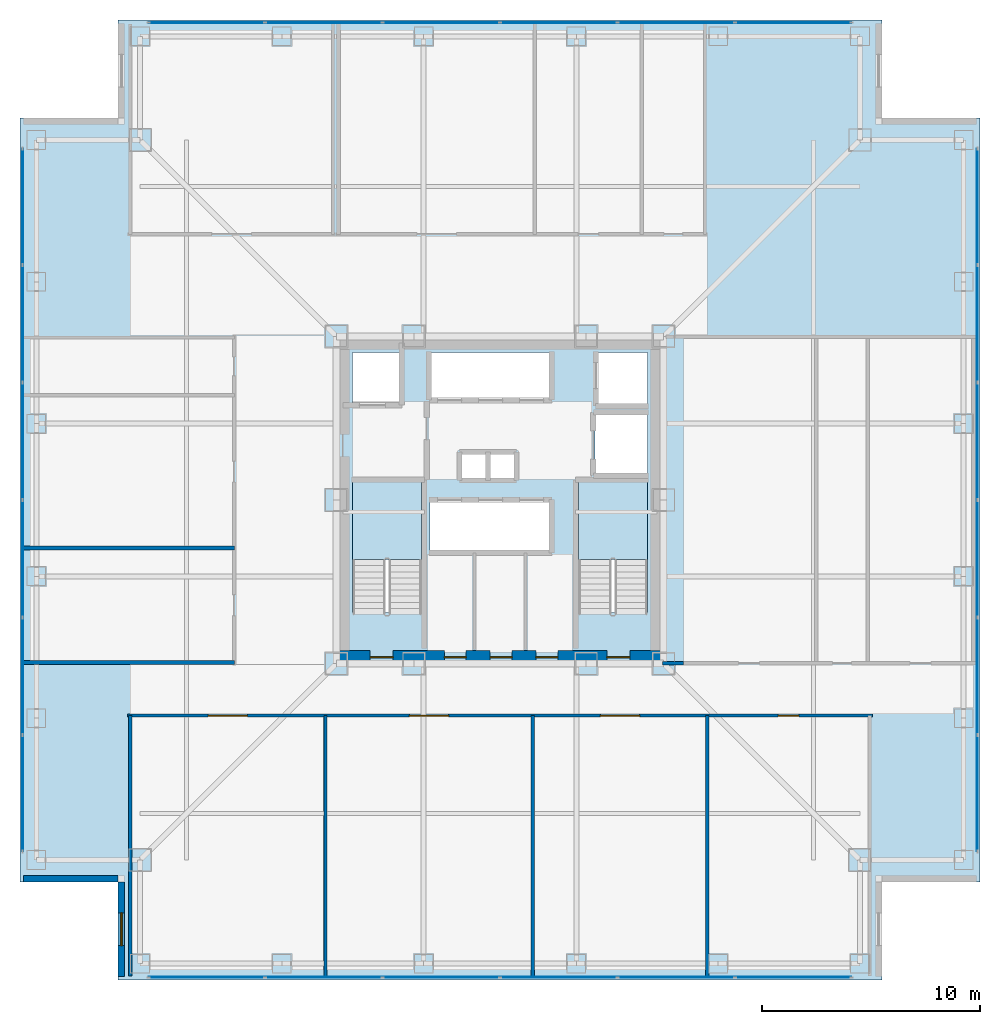
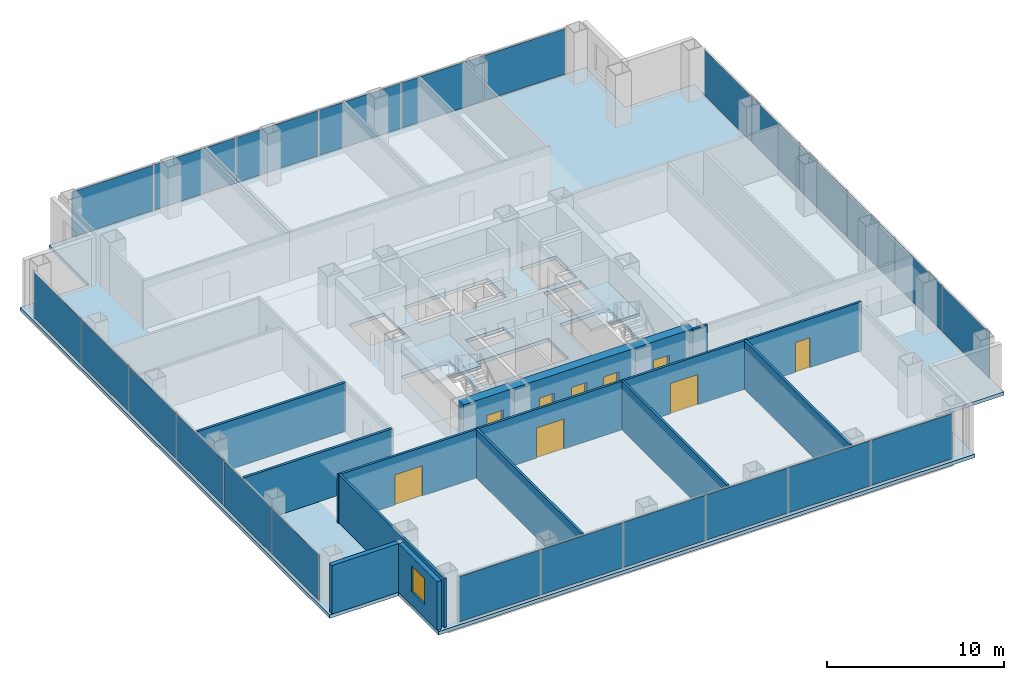
# One storey, part 12 of 17: 24 plates, 11 walls, 9 doors, 3 slabs, 1 window, 10 openings, 6 elements without a shape of their own.
"""IFC4 building model written with IfcOpenShell, lengths in metres."""

import ifcopenshell
import ifcopenshell.guid

model = None  # the IFC model being written
_history = None  # IfcOwnerHistory: only IFC2X3 demands one
_inside = {}  # id of a spatial element -> (the spatial element, [elements in it])
_under = {}  # id of a project, library or spatial element -> (it, [spatial elements below it])
_declared = {}  # id of a project -> (the project, [libraries it declares])
_typed = {}  # id of a type object -> (the type object, [elements of that type])
_made_of = {}  # id of a material, layer set ... -> (it, [elements and type objects made of it])


def new_model(schema):
    """Start an empty IFC model of exactly this schema.

    Asked for "IFC4X3", IfcOpenShell would pick the latest addendum, in which some entities
    have other attributes; the version numbers below select the first issue.
    IFC2X3 requires an IfcOwnerHistory on every rooted entity: one is made here for all.
    """
    global model, _history
    if schema == "IFC4X3":
        model = ifcopenshell.file(schema_version=(4, 3, 0, 0))
    else:
        model = ifcopenshell.file(schema=schema)
    _inside.clear()
    _under.clear()
    _declared.clear()
    _typed.clear()
    _made_of.clear()
    _history = None
    if model.schema == "IFC2X3":
        org = make("IfcOrganization", Name="unknown")
        user = make(
            "IfcPersonAndOrganization",
            ThePerson=make("IfcPerson", FamilyName="unknown"),
            TheOrganization=org,
        )
        app = make(
            "IfcApplication",
            ApplicationDeveloper=org,
            Version="unknown",
            ApplicationFullName="unknown",
            ApplicationIdentifier="unknown",
        )
        _history = make(
            "IfcOwnerHistory",
            OwningUser=user,
            OwningApplication=app,
            ChangeAction="ADDED",
            CreationDate=0,
        )
    return model


def make(cls, **values):
    """One entity of the class cls with the attributes given. An attribute that is None is left unset."""
    return model.create_entity(
        cls, **{name: value for name, value in values.items() if value is not None}
    )


def rooted(cls, **values):
    """An entity with a GlobalId (a new one), such as an element, a storey or a relation."""
    return make(cls, GlobalId=ifcopenshell.guid.new(), OwnerHistory=_history, **values)


def si_unit(unit_type, name, prefix=None):
    """IfcSIUnit, for example si_unit("LENGTHUNIT", "METRE", prefix="MILLI")."""
    return make("IfcSIUnit", UnitType=unit_type, Prefix=prefix, Name=name)


def assignment(units):
    """IfcUnitAssignment: the units of a project."""
    return None if units is None else make("IfcUnitAssignment", Units=units)


def point(xyz):
    """IfcCartesianPoint."""
    return None if xyz is None else make("IfcCartesianPoint", Coordinates=xyz)


def direction(xyz):
    """IfcDirection."""
    return None if xyz is None else make("IfcDirection", DirectionRatios=xyz)


def frame(location, z_axis=None, x_axis=None):
    """IfcAxis2Placement3D, a coordinate frame: its origin and axes. An axis left out is left unset."""
    return make(
        "IfcAxis2Placement3D",
        Location=point(location),
        Axis=direction(z_axis),
        RefDirection=direction(x_axis),
    )


def frame_2d(location, x_axis=None):
    """IfcAxis2Placement2D, a coordinate frame in the plane: its origin and x axis."""
    return make(
        "IfcAxis2Placement2D", Location=point(location), RefDirection=direction(x_axis)
    )


def origin():
    """The frame at (0, 0, 0) with its axes left unset."""
    return frame((0.0, 0.0, 0.0))


def origin_2d():
    """The frame at (0, 0) in the plane with its x axis left unset."""
    return frame_2d((0.0, 0.0))


def place(relative_to, where):
    """IfcLocalPlacement: puts the frame where relative to a parent placement (None: the world)."""
    return make(
        "IfcLocalPlacement", PlacementRelTo=relative_to, RelativePlacement=where
    )


def context(
    kind, dimensions, precision=None, world=None, true_north=None, identifier=None
):
    """IfcGeometricRepresentationContext, for example the 3D "Model" context."""
    return make(
        "IfcGeometricRepresentationContext",
        ContextIdentifier=identifier,
        ContextType=kind,
        CoordinateSpaceDimension=dimensions,
        Precision=precision,
        WorldCoordinateSystem=world,
        TrueNorth=true_north,
    )


def subcontext(parent, identifier, kind, view, scale=None):
    """IfcGeometricRepresentationSubContext, for example "Body" below "Model"."""
    return make(
        "IfcGeometricRepresentationSubContext",
        ContextIdentifier=identifier,
        ContextType=kind,
        ParentContext=parent,
        TargetScale=scale,
        TargetView=view,
    )


def project(units=None, contexts=None):
    """IfcProject with its units and contexts."""
    return rooted(
        "IfcProject",
        Name="project",
        RepresentationContexts=contexts,
        UnitsInContext=assignment(units),
    )


def spatial(cls, under=None, at=None, **own):
    """A site, building, storey or space (cls), placed at a placement, below another one or the project."""
    s = rooted(cls, ObjectPlacement=at, **own)
    if under is not None:
        _under.setdefault(under.id(), (under, []))[1].append(s)
    return s


def polyline(points):
    """IfcPolyline through the points."""
    return make("IfcPolyline", Points=[point(p) for p in points])


def profile(cls, at=None, kind="AREA", **sizes):
    """A parametric profile (cls). Its sizes go by their IFC names, for example OverallWidth=200.0."""
    return make(cls, ProfileType=kind, Position=at, **sizes)


def rectangle(**sizes):
    """IfcRectangleProfileDef."""
    return profile("IfcRectangleProfileDef", **sizes)


def outline(outer, holes=None, kind="AREA"):
    """IfcArbitraryClosedProfileDef: a profile drawn as a closed curve; with holes, ...WithVoids."""
    if holes is None:
        return make("IfcArbitraryClosedProfileDef", ProfileType=kind, OuterCurve=outer)
    return make(
        "IfcArbitraryProfileDefWithVoids",
        ProfileType=kind,
        OuterCurve=outer,
        InnerCurves=holes,
    )


def extrude(swept, where, along, depth):
    """IfcExtrudedAreaSolid: the profile swept, set in the frame where, extruded along a direction by depth."""
    return make(
        "IfcExtrudedAreaSolid",
        SweptArea=swept,
        Position=where,
        ExtrudedDirection=direction(along),
        Depth=depth,
    )


def shape(context_of_items, identifier, shape_type, items):
    """IfcShapeRepresentation: the items that make up one representation, for example the "Body"."""
    return make(
        "IfcShapeRepresentation",
        ContextOfItems=context_of_items,
        RepresentationIdentifier=identifier,
        RepresentationType=shape_type,
        Items=items,
    )


def material(Name=None, Category=None):
    """IfcMaterial."""
    return make("IfcMaterial", Name=Name, Category=Category)


def layer(
    of_material, thickness, ventilated=None, Name=None, Category=None, Priority=None
):
    """IfcMaterialLayer: one layer of a wall or slab, of a material (None: an air gap)."""
    return make(
        "IfcMaterialLayer",
        Material=of_material,
        LayerThickness=thickness,
        IsVentilated=ventilated,
        Name=Name,
        Category=Category,
        Priority=Priority,
    )


def layer_set(layers, Name=None):
    """IfcMaterialLayerSet."""
    return make("IfcMaterialLayerSet", MaterialLayers=layers, LayerSetName=Name)


def made_of(thing, what):
    """Note that an element or type object is made of a material, layer set ...; save() writes the relation."""
    if what is not None:
        _made_of.setdefault(what.id(), (what, []))[1].append(thing)
    return thing


def type_object(cls, material=None, **own):
    """A type object (cls), such as IfcWallType, which elements share."""
    return made_of(rooted(cls, **own), material)


def element(
    cls,
    number,
    at=None,
    inside=None,
    cuts=None,
    type_object=None,
    material=None,
    context=None,
    identifier="Body",
    shape_type=None,
    held_by="IfcProductDefinitionShape",
    body=None,
    shapes=None,
    **own,
):
    """One element of the class cls, such as IfcWall. Its Tag is "e" and its number.

    at: its placement. inside: the storey or other place that contains it. cuts: it is an
    opening in that element (IfcRelVoidsElement). A single representation is given by context,
    identifier, shape_type and body (its items); several are given by shapes. held_by: the class
    of the entity that holds the representations. save() writes the other relations.
    """
    e = rooted(cls, Tag="e%d" % number, ObjectPlacement=at, **own)
    if body is not None:
        shapes = [shape(context, identifier, shape_type, body)]
    if shapes is not None:
        e.Representation = make(held_by, Representations=shapes)
    if inside is not None:
        _inside.setdefault(inside.id(), (inside, []))[1].append(e)
    if cuts is not None:
        rooted(
            "IfcRelVoidsElement", RelatingBuildingElement=cuts, RelatedOpeningElement=e
        )
    if type_object is not None:
        _typed.setdefault(type_object.id(), (type_object, []))[1].append(e)
    return made_of(e, material)


def fill(opening, filler):
    """IfcRelFillsElement: the door or window that sits in an opening."""
    return rooted(
        "IfcRelFillsElement",
        RelatingOpeningElement=opening,
        RelatedBuildingElement=filler,
    )


def aggregate(whole, parts):
    """IfcRelAggregates: a whole, such as a stair, and the parts it consists of."""
    return rooted("IfcRelAggregates", RelatingObject=whole, RelatedObjects=parts)


def save(model, path):
    """Write the relations noted so far, then the file.

    IfcRelAggregates (storeys below a building ...), IfcRelContainedInSpatialStructure (elements
    in a storey), IfcRelDefinesByType, IfcRelAssociatesMaterial and IfcRelDeclares: one each for
    every whole, place, type object, material and project.
    """
    for whole, parts in _under.values():
        aggregate(whole, parts)
    for where, things in _inside.values():
        rooted(
            "IfcRelContainedInSpatialStructure",
            RelatedElements=things,
            RelatingStructure=where,
        )
    for kind, things in _typed.values():
        rooted("IfcRelDefinesByType", RelatedObjects=things, RelatingType=kind)
    for what, things in _made_of.values():
        rooted("IfcRelAssociatesMaterial", RelatedObjects=things, RelatingMaterial=what)
    for by, libraries in _declared.values():
        rooted("IfcRelDeclares", RelatingContext=by, RelatedDefinitions=libraries)
    model.write(path)


model = new_model("IFC4")

# Units and contexts
model_context = context("Model", 3, precision=1e-05, world=origin(), true_north=direction((0.0, 1.0)))
body_context = subcontext(model_context, "Body", "Model", "MODEL_VIEW")
ifc_project = project(units=[si_unit("LENGTHUNIT", "METRE"), si_unit("AREAUNIT", "SQUARE_METRE"), si_unit("VOLUMEUNIT", "CUBIC_METRE"), si_unit("PLANEANGLEUNIT", "RADIAN"), si_unit("MASSUNIT", "GRAM", prefix="KILO")], contexts=[model_context])

# Site, building, storey
site_placement = place(None, origin())
site = spatial("IfcSite", under=ifc_project, at=site_placement, CompositionType="ELEMENT")
building_placement = place(site_placement, origin())
building = spatial("IfcBuilding", under=site, at=building_placement, Name="Trevonay Congress Spire", CompositionType="ELEMENT")
storey_placement = place(building_placement, frame((0.0, 0.0, 130.0)))
storey = spatial("IfcBuildingStorey", under=building, at=storey_placement, Name="L33", CompositionType="ELEMENT", Elevation=130.0)

# Curtain wall, plates
ifc_material_1 = material(Name="Pale Anodised Aluminium EN AW-6063-T6", Category="aluminium")
ifc_layer_1 = layer(ifc_material_1, 0.175048828125, Name="Pale Anodised Aluminium EN AW-6063-T6")
ifc_layer_set_1 = layer_set([ifc_layer_1], Name="Pale Anodised Aluminium EN AW-6063-T6")
curtain_wall_type = type_object("IfcCurtainWallType", Name="CW-SYS03-CONGRESS-PALE-METAL", PredefinedType="NOTDEFINED", material=ifc_layer_set_1)
curtain_wall_1_placement = place(storey_placement, origin())
curtain_wall_1 = element("IfcCurtainWall", 1, at=curtain_wall_1_placement, inside=storey, type_object=curtain_wall_type, Name="L33 S unitised curtain wall", PredefinedType="NOTDEFINED")
ifc_material_2 = material(Name="Insulated Low-E Vision Glass IGU", Category="glass")
ifc_layer_2 = layer(ifc_material_2, 0.035888671875, Name="Insulated Low-E Vision Glass IGU")
ifc_layer_set_2 = layer_set([ifc_layer_2], Name="Insulated Low-E Vision Glass IGU")
plate_type = type_object("IfcPlateType", Name="CW-PANEL-IGU36-SILVER", PredefinedType="CURTAIN_PANEL", material=ifc_layer_set_2)
plate_1_placement = place(storey_placement, frame((-13.443359375, -21.8798828125, 0.119873046875), z_axis=(0.0, 0.0, 1.0), x_axis=(1.0, 0.0, 0.0)))
plate_1 = element("IfcPlate", 2, at=plate_1_placement, type_object=plate_type, Name="CW03 panel 1.1", PredefinedType="CURTAIN_PANEL", context=body_context, shape_type="SweptSolid", body=[
    extrude(rectangle(XDim=5.293212890625, YDim=0.035888671875, at=origin_2d()), origin(), (0.0, 0.0, 1.0), 3.1201171875),
])
plate_2_placement = place(storey_placement, frame((-8.074951171875, -21.8798828125, 0.119873046875), z_axis=(0.0, 0.0, 1.0), x_axis=(1.0, 0.0, 0.0)))
plate_2 = element("IfcPlate", 3, at=plate_2_placement, type_object=plate_type, Name="CW03 panel 2.1", PredefinedType="CURTAIN_PANEL", context=body_context, shape_type="SweptSolid", body=[
    extrude(rectangle(XDim=5.3232421875, YDim=0.035888671875, at=origin_2d()), origin(), (0.0, 0.0, 1.0), 3.1201171875),
])
plate_3_placement = place(storey_placement, frame((-2.691650390625, -21.8798828125, 0.119873046875), z_axis=(0.0, 0.0, 1.0), x_axis=(1.0, 0.0, 0.0)))
plate_3 = element("IfcPlate", 4, at=plate_3_placement, type_object=plate_type, Name="CW03 panel 3.1", PredefinedType="CURTAIN_PANEL", context=body_context, shape_type="SweptSolid", body=[
    extrude(rectangle(XDim=5.3232421875, YDim=0.035888671875, at=origin_2d()), origin(), (0.0, 0.0, 1.0), 3.1201171875),
])
plate_4_placement = place(storey_placement, frame((2.691650390625, -21.8798828125, 0.119873046875), z_axis=(0.0, 0.0, 1.0), x_axis=(1.0, 0.0, 0.0)))
plate_4 = element("IfcPlate", 5, at=plate_4_placement, type_object=plate_type, Name="CW03 panel 4.1", PredefinedType="CURTAIN_PANEL", context=body_context, shape_type="SweptSolid", body=[
    extrude(rectangle(XDim=5.3232421875, YDim=0.035888671875, at=origin_2d()), origin(), (0.0, 0.0, 1.0), 3.1201171875),
])
plate_5_placement = place(storey_placement, frame((8.074951171875, -21.8798828125, 0.119873046875), z_axis=(0.0, 0.0, 1.0), x_axis=(1.0, 0.0, 0.0)))
plate_5 = element("IfcPlate", 6, at=plate_5_placement, type_object=plate_type, Name="CW03 panel 5.1", PredefinedType="CURTAIN_PANEL", context=body_context, shape_type="SweptSolid", body=[
    extrude(rectangle(XDim=5.3232421875, YDim=0.035888671875, at=origin_2d()), origin(), (0.0, 0.0, 1.0), 3.1201171875),
])
plate_6_placement = place(storey_placement, frame((13.443359375, -21.8798828125, 0.119873046875), z_axis=(0.0, 0.0, 1.0), x_axis=(1.0, 0.0, 0.0)))
plate_6 = element("IfcPlate", 7, at=plate_6_placement, type_object=plate_type, Name="CW03 panel 6.1", PredefinedType="CURTAIN_PANEL", context=body_context, shape_type="SweptSolid", body=[
    extrude(rectangle(XDim=5.293212890625, YDim=0.035888671875, at=origin_2d()), origin(), (0.0, 0.0, 1.0), 3.1201171875),
])
aggregate(curtain_wall_1, [plate_1, plate_2, plate_3, plate_4, plate_5, plate_6])

curtain_wall_2_placement = place(storey_placement, origin())
curtain_wall_2 = element("IfcCurtainWall", 8, at=curtain_wall_2_placement, inside=storey, type_object=curtain_wall_type, Name="L33 N unitised curtain wall", PredefinedType="NOTDEFINED")
plate_7_placement = place(storey_placement, frame((-13.443359375, 21.8798828125, 0.119873046875), z_axis=(0.0, 0.0, 1.0), x_axis=(1.0, 0.0, 0.0)))
plate_7 = element("IfcPlate", 9, at=plate_7_placement, type_object=plate_type, Name="CW03 panel 1.1", PredefinedType="CURTAIN_PANEL", context=body_context, shape_type="SweptSolid", body=[
    extrude(rectangle(XDim=5.293212890625, YDim=0.035888671875, at=origin_2d()), origin(), (0.0, 0.0, 1.0), 3.1201171875),
])
plate_8_placement = place(storey_placement, frame((-8.074951171875, 21.8798828125, 0.119873046875), z_axis=(0.0, 0.0, 1.0), x_axis=(1.0, 0.0, 0.0)))
plate_8 = element("IfcPlate", 10, at=plate_8_placement, type_object=plate_type, Name="CW03 panel 2.1", PredefinedType="CURTAIN_PANEL", context=body_context, shape_type="SweptSolid", body=[
    extrude(rectangle(XDim=5.3232421875, YDim=0.035888671875, at=origin_2d()), origin(), (0.0, 0.0, 1.0), 3.1201171875),
])
plate_9_placement = place(storey_placement, frame((-2.691650390625, 21.8798828125, 0.119873046875), z_axis=(0.0, 0.0, 1.0), x_axis=(1.0, 0.0, 0.0)))
plate_9 = element("IfcPlate", 11, at=plate_9_placement, type_object=plate_type, Name="CW03 panel 3.1", PredefinedType="CURTAIN_PANEL", context=body_context, shape_type="SweptSolid", body=[
    extrude(rectangle(XDim=5.3232421875, YDim=0.035888671875, at=origin_2d()), origin(), (0.0, 0.0, 1.0), 3.1201171875),
])
plate_10_placement = place(storey_placement, frame((2.691650390625, 21.8798828125, 0.119873046875), z_axis=(0.0, 0.0, 1.0), x_axis=(1.0, 0.0, 0.0)))
plate_10 = element("IfcPlate", 12, at=plate_10_placement, type_object=plate_type, Name="CW03 panel 4.1", PredefinedType="CURTAIN_PANEL", context=body_context, shape_type="SweptSolid", body=[
    extrude(rectangle(XDim=5.3232421875, YDim=0.035888671875, at=origin_2d()), origin(), (0.0, 0.0, 1.0), 3.1201171875),
])
plate_11_placement = place(storey_placement, frame((8.074951171875, 21.8798828125, 0.119873046875), z_axis=(0.0, 0.0, 1.0), x_axis=(1.0, 0.0, 0.0)))
plate_11 = element("IfcPlate", 13, at=plate_11_placement, type_object=plate_type, Name="CW03 panel 5.1", PredefinedType="CURTAIN_PANEL", context=body_context, shape_type="SweptSolid", body=[
    extrude(rectangle(XDim=5.3232421875, YDim=0.035888671875, at=origin_2d()), origin(), (0.0, 0.0, 1.0), 3.1201171875),
])
plate_12_placement = place(storey_placement, frame((13.443359375, 21.8798828125, 0.119873046875), z_axis=(0.0, 0.0, 1.0), x_axis=(1.0, 0.0, 0.0)))
plate_12 = element("IfcPlate", 14, at=plate_12_placement, type_object=plate_type, Name="CW03 panel 6.1", PredefinedType="CURTAIN_PANEL", context=body_context, shape_type="SweptSolid", body=[
    extrude(rectangle(XDim=5.293212890625, YDim=0.035888671875, at=origin_2d()), origin(), (0.0, 0.0, 1.0), 3.1201171875),
])
aggregate(curtain_wall_2, [plate_7, plate_8, plate_9, plate_10, plate_11, plate_12])

curtain_wall_3_placement = place(storey_placement, origin())
curtain_wall_3 = element("IfcCurtainWall", 15, at=curtain_wall_3_placement, inside=storey, type_object=curtain_wall_type, Name="L33 W unitised curtain wall", PredefinedType="NOTDEFINED")
plate_13_placement = place(storey_placement, frame((-21.8798828125, -13.443359375, 0.119873046875), z_axis=(0.0, 0.0, 1.0), x_axis=(0.0, 1.0, 0.0)))
plate_13 = element("IfcPlate", 16, at=plate_13_placement, type_object=plate_type, Name="CW03 panel 1.1", PredefinedType="CURTAIN_PANEL", context=body_context, shape_type="SweptSolid", body=[
    extrude(rectangle(XDim=5.293212890625, YDim=0.035888671875, at=origin_2d()), origin(), (0.0, 0.0, 1.0), 3.1201171875),
])
plate_14_placement = place(storey_placement, frame((-21.8798828125, -8.074951171875, 0.119873046875), z_axis=(0.0, 0.0, 1.0), x_axis=(0.0, 1.0, 0.0)))
plate_14 = element("IfcPlate", 17, at=plate_14_placement, type_object=plate_type, Name="CW03 panel 2.1", PredefinedType="CURTAIN_PANEL", context=body_context, shape_type="SweptSolid", body=[
    extrude(rectangle(XDim=5.3232421875, YDim=0.035888671875, at=origin_2d()), origin(), (0.0, 0.0, 1.0), 3.1201171875),
])
plate_15_placement = place(storey_placement, frame((-21.8798828125, -2.691650390625, 0.119873046875), z_axis=(0.0, 0.0, 1.0), x_axis=(0.0, 1.0, 0.0)))
plate_15 = element("IfcPlate", 18, at=plate_15_placement, type_object=plate_type, Name="CW03 panel 3.1", PredefinedType="CURTAIN_PANEL", context=body_context, shape_type="SweptSolid", body=[
    extrude(rectangle(XDim=5.3232421875, YDim=0.035888671875, at=origin_2d()), origin(), (0.0, 0.0, 1.0), 3.1201171875),
])
plate_16_placement = place(storey_placement, frame((-21.8798828125, 2.691650390625, 0.119873046875), z_axis=(0.0, 0.0, 1.0), x_axis=(0.0, 1.0, 0.0)))
plate_16 = element("IfcPlate", 19, at=plate_16_placement, type_object=plate_type, Name="CW03 panel 4.1", PredefinedType="CURTAIN_PANEL", context=body_context, shape_type="SweptSolid", body=[
    extrude(rectangle(XDim=5.3232421875, YDim=0.035888671875, at=origin_2d()), origin(), (0.0, 0.0, 1.0), 3.1201171875),
])
plate_17_placement = place(storey_placement, frame((-21.8798828125, 8.074951171875, 0.119873046875), z_axis=(0.0, 0.0, 1.0), x_axis=(0.0, 1.0, 0.0)))
plate_17 = element("IfcPlate", 20, at=plate_17_placement, type_object=plate_type, Name="CW03 panel 5.1", PredefinedType="CURTAIN_PANEL", context=body_context, shape_type="SweptSolid", body=[
    extrude(rectangle(XDim=5.3232421875, YDim=0.035888671875, at=origin_2d()), origin(), (0.0, 0.0, 1.0), 3.1201171875),
])
plate_18_placement = place(storey_placement, frame((-21.8798828125, 13.443359375, 0.119873046875), z_axis=(0.0, 0.0, 1.0), x_axis=(0.0, 1.0, 0.0)))
plate_18 = element("IfcPlate", 21, at=plate_18_placement, type_object=plate_type, Name="CW03 panel 6.1", PredefinedType="CURTAIN_PANEL", context=body_context, shape_type="SweptSolid", body=[
    extrude(rectangle(XDim=5.293212890625, YDim=0.035888671875, at=origin_2d()), origin(), (0.0, 0.0, 1.0), 3.1201171875),
])
aggregate(curtain_wall_3, [plate_13, plate_14, plate_15, plate_16, plate_17, plate_18])

curtain_wall_4_placement = place(storey_placement, origin())
curtain_wall_4 = element("IfcCurtainWall", 22, at=curtain_wall_4_placement, inside=storey, type_object=curtain_wall_type, Name="L33 E unitised curtain wall", PredefinedType="NOTDEFINED")
plate_19_placement = place(storey_placement, frame((21.8798828125, -13.443359375, 0.119873046875), z_axis=(0.0, 0.0, 1.0), x_axis=(0.0, 1.0, 0.0)))
plate_19 = element("IfcPlate", 23, at=plate_19_placement, type_object=plate_type, Name="CW03 panel 1.1", PredefinedType="CURTAIN_PANEL", context=body_context, shape_type="SweptSolid", body=[
    extrude(rectangle(XDim=5.293212890625, YDim=0.035888671875, at=origin_2d()), origin(), (0.0, 0.0, 1.0), 3.1201171875),
])
plate_20_placement = place(storey_placement, frame((21.8798828125, -8.074951171875, 0.119873046875), z_axis=(0.0, 0.0, 1.0), x_axis=(0.0, 1.0, 0.0)))
plate_20 = element("IfcPlate", 24, at=plate_20_placement, type_object=plate_type, Name="CW03 panel 2.1", PredefinedType="CURTAIN_PANEL", context=body_context, shape_type="SweptSolid", body=[
    extrude(rectangle(XDim=5.3232421875, YDim=0.035888671875, at=origin_2d()), origin(), (0.0, 0.0, 1.0), 3.1201171875),
])
plate_21_placement = place(storey_placement, frame((21.8798828125, -2.691650390625, 0.119873046875), z_axis=(0.0, 0.0, 1.0), x_axis=(0.0, 1.0, 0.0)))
plate_21 = element("IfcPlate", 25, at=plate_21_placement, type_object=plate_type, Name="CW03 panel 3.1", PredefinedType="CURTAIN_PANEL", context=body_context, shape_type="SweptSolid", body=[
    extrude(rectangle(XDim=5.3232421875, YDim=0.035888671875, at=origin_2d()), origin(), (0.0, 0.0, 1.0), 3.1201171875),
])
plate_22_placement = place(storey_placement, frame((21.8798828125, 2.691650390625, 0.119873046875), z_axis=(0.0, 0.0, 1.0), x_axis=(0.0, 1.0, 0.0)))
plate_22 = element("IfcPlate", 26, at=plate_22_placement, type_object=plate_type, Name="CW03 panel 4.1", PredefinedType="CURTAIN_PANEL", context=body_context, shape_type="SweptSolid", body=[
    extrude(rectangle(XDim=5.3232421875, YDim=0.035888671875, at=origin_2d()), origin(), (0.0, 0.0, 1.0), 3.1201171875),
])
plate_23_placement = place(storey_placement, frame((21.8798828125, 8.074951171875, 0.119873046875), z_axis=(0.0, 0.0, 1.0), x_axis=(0.0, 1.0, 0.0)))
plate_23 = element("IfcPlate", 27, at=plate_23_placement, type_object=plate_type, Name="CW03 panel 5.1", PredefinedType="CURTAIN_PANEL", context=body_context, shape_type="SweptSolid", body=[
    extrude(rectangle(XDim=5.3232421875, YDim=0.035888671875, at=origin_2d()), origin(), (0.0, 0.0, 1.0), 3.1201171875),
])
plate_24_placement = place(storey_placement, frame((21.8798828125, 13.443359375, 0.119873046875), z_axis=(0.0, 0.0, 1.0), x_axis=(0.0, 1.0, 0.0)))
plate_24 = element("IfcPlate", 28, at=plate_24_placement, type_object=plate_type, Name="CW03 panel 6.1", PredefinedType="CURTAIN_PANEL", context=body_context, shape_type="SweptSolid", body=[
    extrude(rectangle(XDim=5.293212890625, YDim=0.035888671875, at=origin_2d()), origin(), (0.0, 0.0, 1.0), 3.1201171875),
])
aggregate(curtain_wall_4, [plate_19, plate_20, plate_21, plate_22, plate_23, plate_24])

# Stair, slab
ifc_material_3 = material(Name="Concrete C40/50", Category="concrete")
stair_type_1 = type_object("IfcStairType", Name="STR-ST-1", PredefinedType="HALF_TURN_STAIR", material=ifc_material_3)
stair_1_placement = place(storey_placement, origin())
stair_1 = element("IfcStair", 29, at=stair_1_placement, inside=storey, type_object=stair_type_1, Name="L33 Protected Exit Stair ST-1", PredefinedType="HALF_TURN_STAIR")
ifc_layer_3 = layer(ifc_material_3, 0.199951171875, Name="Concrete C40/50")
ifc_layer_set_3 = layer_set([ifc_layer_3], Name="Concrete C40/50")
slab_type_1 = type_object("IfcSlabType", Name="SLB-STAIR-LAND-200", PredefinedType="LANDING", material=ifc_layer_set_3)
slab_1_placement = place(storey_placement, frame((0.0, 0.0, 1.60009765625)))
slab_1 = element("IfcSlab", 30, at=slab_1_placement, type_object=slab_type_1, Name="ST-1 landing 1", PredefinedType="LANDING", context=body_context, shape_type="SweptSolid", body=[
    extrude(outline(polyline([(-3.60009765625, -2.72998046875), (-3.60009765625, 0.85009765625), (-6.75, 0.85009765625), (-6.75, -2.72998046875), (-3.60009765625, -2.72998046875)])), origin(), (0.0, 0.0, 1.0), 0.199951171875),
])
aggregate(stair_1, [slab_1])

stair_type_2 = type_object("IfcStairType", Name="STR-ST-2", PredefinedType="HALF_TURN_STAIR", material=ifc_material_3)
stair_2_placement = place(storey_placement, origin())
stair_2 = element("IfcStair", 31, at=stair_2_placement, inside=storey, type_object=stair_type_2, Name="L33 Protected Exit Stair ST-2", PredefinedType="HALF_TURN_STAIR")
slab_2_placement = place(storey_placement, frame((0.0, 0.0, 1.60009765625)))
slab_2 = element("IfcSlab", 32, at=slab_2_placement, type_object=slab_type_1, Name="ST-2 landing 1", PredefinedType="LANDING", context=body_context, shape_type="SweptSolid", body=[
    extrude(outline(polyline([(6.75, -2.72998046875), (6.75, 0.85009765625), (3.60009765625, 0.85009765625), (3.60009765625, -2.72998046875), (6.75, -2.72998046875)])), origin(), (0.0, 0.0, 1.0), 0.199951171875),
])
aggregate(stair_2, [slab_2])

# Slab
ifc_layer_4 = layer(ifc_material_3, 0.239990234375, Name="Concrete C40/50")
ifc_layer_set_4 = layer_set([ifc_layer_4], Name="Concrete C40/50")
slab_type_2 = type_object("IfcSlabType", Name="SLB-TOW2-240", PredefinedType="FLOOR", material=ifc_layer_set_4)
slab_3_placement = place(storey_placement, frame((0.0, 0.0, -0.239990234375)))
element("IfcSlab", 33, at=slab_3_placement, inside=storey, type_object=slab_type_2, Name="L33 structural floor slab", PredefinedType="FLOOR", context=body_context, shape_type="SweptSolid", body=[
    extrude(outline(polyline([(-17.5, -22.0), (17.5, -22.0), (17.5, -17.5), (22.0, -17.5), (22.0, 17.5), (17.5, 17.5), (17.5, 22.0), (-17.5, 22.0), (-17.5, 17.5), (-22.0, 17.5), (-22.0, -17.5), (-17.5, -17.5), (-17.5, -22.0)]), holes=[polyline([(-3.60009765625, -5.14990234375), (-3.60009765625, 0.85009765625), (-6.75, 0.85009765625), (-6.75, -5.14990234375), (-3.60009765625, -5.14990234375)]), polyline([(6.75, -5.14990234375), (6.75, 0.85009765625), (3.60009765625, 0.85009765625), (3.60009765625, -5.14990234375), (6.75, -5.14990234375)]), polyline([(-3.199951171875, -2.35009765625), (2.340087890625, -2.35009765625), (2.340087890625, -0.050048828125), (-3.199951171875, -0.050048828125), (-3.199951171875, -2.35009765625)]), polyline([(-3.199951171875, 4.64990234375), (2.340087890625, 4.64990234375), (2.340087890625, 6.75), (-3.199951171875, 6.75), (-3.199951171875, 4.64990234375)]), polyline([(-6.75, 4.35009765625), (-4.449951171875, 4.35009765625), (-4.449951171875, 6.75), (-6.75, 6.75), (-6.75, 4.35009765625)]), polyline([(4.449951171875, 4.35009765625), (6.75, 4.35009765625), (6.75, 6.75), (4.449951171875, 6.75), (4.449951171875, 4.35009765625)]), polyline([(4.35009765625, 1.199951171875), (6.75, 1.199951171875), (6.75, 3.949951171875), (4.35009765625, 3.949951171875), (4.35009765625, 1.199951171875)]), polyline([(-1.800048828125, 0.949951171875), (0.699951171875, 0.949951171875), (0.699951171875, 2.14990234375), (-1.800048828125, 2.14990234375), (-1.800048828125, 0.949951171875)])]), origin(), (0.0, 0.0, 1.0), 0.239990234375),
])

# Wall, openings, doors
ifc_material_4 = material(Name="Concrete C60/75", Category="concrete")
ifc_layer_5 = layer(ifc_material_4, 0.60009765625, Name="Concrete C60/75")
ifc_layer_set_5 = layer_set([ifc_layer_5], Name="Concrete C60/75")
wall_type_1 = type_object("IfcWallType", Name="WAL-CORE-600", PredefinedType="SHEAR", material=ifc_layer_set_5)
wall_1_placement = place(storey_placement, frame((-7.5, -7.199951171875, 0.0), z_axis=(0.0, 0.0, 1.0), x_axis=(1.0, 0.0, 0.0)))
wall_1 = element("IfcWall", 34, at=wall_1_placement, inside=storey, type_object=wall_type_1, Name="L33 South structural core shear wall", PredefinedType="SHEAR", context=body_context, shape_type="SweptSolid", body=[
    extrude(rectangle(XDim=15.0, YDim=0.60009765625, at=frame_2d((7.5, 0.0))), origin(), (0.0, 0.0, 1.0), 3.360107421875),
])
opening_1_placement = place(wall_1_placement, frame((1.550048828125, 0.0, 0.0)))
opening_1 = element("IfcOpeningElement", 35, at=opening_1_placement, cuts=wall_1, Name="Opening D05", PredefinedType="OPENING", context=body_context, shape_type="SweptSolid", body=[
    extrude(rectangle(XDim=1.050048828125, YDim=2.080078125, at=frame_2d((0.52490234375, 1.0400390625))), frame((0.0, 0.31005859375, 0.0), z_axis=(0.0, -1.0, 0.0), x_axis=(1.0, 0.0, 0.0)), (0.0, 0.0, 1.0), 0.6201171875),
])
opening_2_placement = place(wall_1_placement, frame((12.39990234375, 0.0, 0.0)))
opening_2 = element("IfcOpeningElement", 36, at=opening_2_placement, cuts=wall_1, Name="Opening D05", PredefinedType="OPENING", context=body_context, shape_type="SweptSolid", body=[
    extrude(rectangle(XDim=1.050048828125, YDim=2.080078125, at=frame_2d((0.52490234375, 1.0400390625))), frame((0.0, 0.31005859375, 0.0), z_axis=(0.0, -1.0, 0.0), x_axis=(1.0, 0.0, 0.0)), (0.0, 0.0, 1.0), 0.6201171875),
])
opening_3_placement = place(wall_1_placement, frame((4.949951171875, 0.0, 0.0)))
opening_3 = element("IfcOpeningElement", 37, at=opening_3_placement, cuts=wall_1, Name="Opening D06", PredefinedType="OPENING", context=body_context, shape_type="SweptSolid", body=[
    extrude(rectangle(XDim=1.0, YDim=2.080078125, at=frame_2d((0.5, 1.0400390625))), frame((0.0, 0.31005859375, 0.0), z_axis=(0.0, -1.0, 0.0), x_axis=(1.0, 0.0, 0.0)), (0.0, 0.0, 1.0), 0.6201171875),
])
opening_4_placement = place(wall_1_placement, frame((7.050048828125, 0.0, 0.0)))
opening_4 = element("IfcOpeningElement", 38, at=opening_4_placement, cuts=wall_1, Name="Opening D06", PredefinedType="OPENING", context=body_context, shape_type="SweptSolid", body=[
    extrude(rectangle(XDim=1.0, YDim=2.080078125, at=frame_2d((0.5, 1.0400390625))), frame((0.0, 0.31005859375, 0.0), z_axis=(0.0, -1.0, 0.0), x_axis=(1.0, 0.0, 0.0)), (0.0, 0.0, 1.0), 0.6201171875),
])
opening_5_placement = place(wall_1_placement, frame((9.14990234375, 0.0, 0.0)))
opening_5 = element("IfcOpeningElement", 39, at=opening_5_placement, cuts=wall_1, Name="Opening D06", PredefinedType="OPENING", context=body_context, shape_type="SweptSolid", body=[
    extrude(rectangle(XDim=1.0, YDim=2.080078125, at=frame_2d((0.5, 1.0400390625))), frame((0.0, 0.31005859375, 0.0), z_axis=(0.0, -1.0, 0.0), x_axis=(1.0, 0.0, 0.0)), (0.0, 0.0, 1.0), 0.6201171875),
])
ifc_material_5 = material(Name="Steel ASTM A572 Grade 50", Category="steel")
door_type_1 = type_object("IfcDoorType", Name="DOR-FIRE-100", OperationType="NOTDEFINED", PredefinedType="DOOR", material=ifc_material_5)
door_1_placement = place(opening_3_placement, origin())
door_1 = element("IfcDoor", 40, at=door_1_placement, inside=storey, type_object=door_type_1, Name="L33 South Core Room 1 Door", OperationType="SINGLE_SWING_RIGHT", OverallHeight=2.080078125, OverallWidth=1.0, PredefinedType="DOOR", context=body_context, shape_type="SweptSolid", body=[
    extrude(rectangle(XDim=1.0, YDim=2.080078125, at=frame_2d((0.5, 1.0400390625))), frame((0.0, 0.02490234375, 0.0), z_axis=(0.0, -1.0, 0.0), x_axis=(1.0, 0.0, 0.0)), (0.0, 0.0, 1.0), 0.050048828125),
])
fill(opening_3, door_1)
door_2_placement = place(opening_4_placement, origin())
door_2 = element("IfcDoor", 41, at=door_2_placement, inside=storey, type_object=door_type_1, Name="L33 South Core Room 2 Door", OperationType="SINGLE_SWING_LEFT", OverallHeight=2.080078125, OverallWidth=1.0, PredefinedType="DOOR", context=body_context, shape_type="SweptSolid", body=[
    extrude(rectangle(XDim=1.0, YDim=2.080078125, at=frame_2d((0.5, 1.0400390625))), frame((0.0, 0.02490234375, 0.0), z_axis=(0.0, -1.0, 0.0), x_axis=(1.0, 0.0, 0.0)), (0.0, 0.0, 1.0), 0.050048828125),
])
fill(opening_4, door_2)
door_3_placement = place(opening_5_placement, origin())
door_3 = element("IfcDoor", 42, at=door_3_placement, inside=storey, type_object=door_type_1, Name="L33 South Core Room 3 Door", OperationType="SINGLE_SWING_RIGHT", OverallHeight=2.080078125, OverallWidth=1.0, PredefinedType="DOOR", context=body_context, shape_type="SweptSolid", body=[
    extrude(rectangle(XDim=1.0, YDim=2.080078125, at=frame_2d((0.5, 1.0400390625))), frame((0.0, 0.02490234375, 0.0), z_axis=(0.0, -1.0, 0.0), x_axis=(1.0, 0.0, 0.0)), (0.0, 0.0, 1.0), 0.050048828125),
])
fill(opening_5, door_3)
door_type_2 = type_object("IfcDoorType", Name="DOR-STAIR-110", OperationType="NOTDEFINED", PredefinedType="DOOR", material=ifc_material_5)
door_4_placement = place(opening_1_placement, origin())
door_4 = element("IfcDoor", 43, at=door_4_placement, inside=storey, type_object=door_type_2, Name="L33 Protected Stair ST-1 Door", OperationType="SINGLE_SWING_LEFT", OverallHeight=2.080078125, OverallWidth=1.050048828125, PredefinedType="DOOR", context=body_context, shape_type="SweptSolid", body=[
    extrude(rectangle(XDim=1.050048828125, YDim=2.080078125, at=frame_2d((0.52490234375, 1.0400390625))), frame((0.0, 0.02490234375, 0.0), z_axis=(0.0, -1.0, 0.0), x_axis=(1.0, 0.0, 0.0)), (0.0, 0.0, 1.0), 0.050048828125),
])
fill(opening_1, door_4)
door_5_placement = place(opening_2_placement, origin())
door_5 = element("IfcDoor", 44, at=door_5_placement, inside=storey, type_object=door_type_2, Name="L33 Protected Stair ST-2 Door", OperationType="SINGLE_SWING_RIGHT", OverallHeight=2.080078125, OverallWidth=1.050048828125, PredefinedType="DOOR", context=body_context, shape_type="SweptSolid", body=[
    extrude(rectangle(XDim=1.050048828125, YDim=2.080078125, at=frame_2d((0.52490234375, 1.0400390625))), frame((0.0, 0.02490234375, 0.0), z_axis=(0.0, -1.0, 0.0), x_axis=(1.0, 0.0, 0.0)), (0.0, 0.0, 1.0), 0.050048828125),
])
fill(opening_2, door_5)

ifc_layer_6 = layer(ifc_material_3, 0.14990234375, Name="Concrete C40/50")
ifc_layer_set_6 = layer_set([ifc_layer_6], Name="Concrete C40/50")
wall_type_2 = type_object("IfcWallType", Name="WAL-CORR-150", PredefinedType="PARTITIONING", material=ifc_layer_set_6)
wall_2_placement = place(storey_placement, frame((-17.070068359375, -9.8798828125, 0.0), z_axis=(0.0, 0.0, 1.0), x_axis=(1.0, 0.0, 0.0)))
wall_2 = element("IfcWall", 45, at=wall_2_placement, inside=storey, type_object=wall_type_2, Name="L33 interior wall WP-L33S-COR", PredefinedType="PARTITIONING", context=body_context, shape_type="SweptSolid", body=[
    extrude(rectangle(XDim=34.14013671875, YDim=0.14990234375, at=frame_2d((17.070068359375, 0.0))), origin(), (0.0, 0.0, 1.0), 3.360107421875),
])
opening_6_placement = place(wall_2_placement, frame((3.695068359375, 0.0, 0.0)))
opening_6 = element("IfcOpeningElement", 46, at=opening_6_placement, cuts=wall_2, Name="Opening D09", PredefinedType="OPENING", context=body_context, shape_type="SweptSolid", body=[
    extrude(rectangle(XDim=1.800048828125, YDim=2.080078125, at=frame_2d((0.89990234375, 1.0400390625))), frame((0.0, 0.0849609375, 0.0), z_axis=(0.0, -1.0, 0.0), x_axis=(1.0, 0.0, 0.0)), (0.0, 0.0, 1.0), 0.169921875),
])
opening_7_placement = place(wall_2_placement, frame((12.919921875, 0.0, 0.0)))
opening_7 = element("IfcOpeningElement", 47, at=opening_7_placement, cuts=wall_2, Name="Opening D09", PredefinedType="OPENING", context=body_context, shape_type="SweptSolid", body=[
    extrude(rectangle(XDim=1.800048828125, YDim=2.080078125, at=frame_2d((0.89990234375, 1.0400390625))), frame((0.0, 0.0849609375, 0.0), z_axis=(0.0, -1.0, 0.0), x_axis=(1.0, 0.0, 0.0)), (0.0, 0.0, 1.0), 0.169921875),
])
opening_8_placement = place(wall_2_placement, frame((21.669921875, 0.0, 0.0)))
opening_8 = element("IfcOpeningElement", 48, at=opening_8_placement, cuts=wall_2, Name="Opening D09", PredefinedType="OPENING", context=body_context, shape_type="SweptSolid", body=[
    extrude(rectangle(XDim=1.800048828125, YDim=2.080078125, at=frame_2d((0.89990234375, 1.0400390625))), frame((0.0, 0.0849609375, 0.0), z_axis=(0.0, -1.0, 0.0), x_axis=(1.0, 0.0, 0.0)), (0.0, 0.0, 1.0), 0.169921875),
])
opening_9_placement = place(wall_2_placement, frame((29.820068359375, 0.0, 0.0)))
opening_9 = element("IfcOpeningElement", 49, at=opening_9_placement, cuts=wall_2, Name="Opening D07", PredefinedType="OPENING", context=body_context, shape_type="SweptSolid", body=[
    extrude(rectangle(XDim=0.949951171875, YDim=2.06005859375, at=frame_2d((0.47509765625, 1.030029296875))), frame((0.0, 0.0849609375, 0.0), z_axis=(0.0, -1.0, 0.0), x_axis=(1.0, 0.0, 0.0)), (0.0, 0.0, 1.0), 0.169921875),
])
door_type_3 = type_object("IfcDoorType", Name="DOR-CONF-DBL", OperationType="DOUBLE_DOOR_SINGLE_SWING", PredefinedType="DOOR", material=ifc_material_1)
door_6_placement = place(opening_6_placement, origin())
door_6 = element("IfcDoor", 50, at=door_6_placement, inside=storey, type_object=door_type_3, Name="L33 Diplomatic Academy Lecture Room 1 Door", OperationType="DOUBLE_DOOR_SINGLE_SWING", OverallHeight=2.080078125, OverallWidth=1.800048828125, PredefinedType="DOOR", context=body_context, shape_type="SweptSolid", body=[
    extrude(rectangle(XDim=1.800048828125, YDim=2.080078125, at=frame_2d((0.89990234375, 1.0400390625))), frame((0.0, 0.02490234375, 0.0), z_axis=(0.0, -1.0, 0.0), x_axis=(1.0, 0.0, 0.0)), (0.0, 0.0, 1.0), 0.050048828125),
])
fill(opening_6, door_6)
door_7_placement = place(opening_7_placement, origin())
door_7 = element("IfcDoor", 51, at=door_7_placement, inside=storey, type_object=door_type_3, Name="L33 Language Lab Classroom 2 Door", OperationType="DOUBLE_DOOR_SINGLE_SWING", OverallHeight=2.080078125, OverallWidth=1.800048828125, PredefinedType="DOOR", context=body_context, shape_type="SweptSolid", body=[
    extrude(rectangle(XDim=1.800048828125, YDim=2.080078125, at=frame_2d((0.89990234375, 1.0400390625))), frame((0.0, 0.02490234375, 0.0), z_axis=(0.0, -1.0, 0.0), x_axis=(1.0, 0.0, 0.0)), (0.0, 0.0, 1.0), 0.050048828125),
])
fill(opening_7, door_7)
door_8_placement = place(opening_8_placement, origin())
door_8 = element("IfcDoor", 52, at=door_8_placement, inside=storey, type_object=door_type_3, Name="L33 Reference Library Reading Hall Door", OperationType="DOUBLE_DOOR_SINGLE_SWING", OverallHeight=2.080078125, OverallWidth=1.800048828125, PredefinedType="DOOR", context=body_context, shape_type="SweptSolid", body=[
    extrude(rectangle(XDim=1.800048828125, YDim=2.080078125, at=frame_2d((0.89990234375, 1.0400390625))), frame((0.0, 0.02490234375, 0.0), z_axis=(0.0, -1.0, 0.0), x_axis=(1.0, 0.0, 0.0)), (0.0, 0.0, 1.0), 0.050048828125),
])
fill(opening_8, door_8)
door_type_4 = type_object("IfcDoorType", Name="DOR-OFFICE-95", OperationType="NOTDEFINED", PredefinedType="DOOR", material=ifc_material_1)
door_9_placement = place(opening_9_placement, origin())
door_9 = element("IfcDoor", 53, at=door_9_placement, inside=storey, type_object=door_type_4, Name="L33 Library Catalogue Office Door", OperationType="SINGLE_SWING_RIGHT", OverallHeight=2.06005859375, OverallWidth=0.949951171875, PredefinedType="DOOR", context=body_context, shape_type="SweptSolid", body=[
    extrude(rectangle(XDim=0.949951171875, YDim=2.06005859375, at=frame_2d((0.47509765625, 1.030029296875))), frame((0.0, 0.02490234375, 0.0), z_axis=(0.0, -1.0, 0.0), x_axis=(1.0, 0.0, 0.0)), (0.0, 0.0, 1.0), 0.050048828125),
])
fill(opening_9, door_9)

# Wall
wall_3_placement = place(storey_placement, frame((7.449951171875, -7.47998046875, 0.0), z_axis=(0.0, 0.0, 1.0), x_axis=(1.0, 0.0, 0.0)))
element("IfcWall", 54, at=wall_3_placement, inside=storey, type_object=wall_type_2, Name="L33 interior wall WP-L33E-STUB", PredefinedType="PARTITIONING", context=body_context, shape_type="SweptSolid", body=[
    extrude(rectangle(XDim=0.949951171875, YDim=0.14990234375, at=frame_2d((0.47509765625, 0.0))), origin(), (0.0, 0.0, 1.0), 3.360107421875),
])

# Wall, opening, window
ifc_material_6 = material(Name="Precast concrete C40/50", Category="concrete")
ifc_layer_7 = layer(ifc_material_6, 0.300048828125, Name="Precast concrete C40/50")
ifc_layer_set_7 = layer_set([ifc_layer_7], Name="Precast concrete C40/50")
wall_type_3 = type_object("IfcWallType", Name="WAL-EXT-PRECAST-300", PredefinedType="SOLIDWALL", material=ifc_layer_set_7)
wall_4_placement = place(storey_placement, frame((-17.35009765625, -21.85009765625, 0.0), z_axis=(0.0, 0.0, 1.0), x_axis=(0.0, 1.0, 0.0)))
wall_4 = element("IfcWall", 55, at=wall_4_placement, inside=storey, type_object=wall_type_3, Name="L33 SW re-entrant notch exterior wall 1", PredefinedType="SOLIDWALL", context=body_context, shape_type="SweptSolid", body=[
    extrude(rectangle(XDim=4.35009765625, YDim=0.300048828125, at=frame_2d((2.175048828125, 0.0))), origin(), (0.0, 0.0, 1.0), 3.360107421875),
])
opening_10_placement = place(wall_4_placement, frame((1.425048828125, 0.0, 0.89990234375)))
opening_10 = element("IfcOpeningElement", 56, at=opening_10_placement, cuts=wall_4, Name="Opening WN03", PredefinedType="OPENING", context=body_context, shape_type="SweptSolid", body=[
    extrude(rectangle(XDim=1.5, YDim=1.800048828125, at=frame_2d((0.75, 0.89990234375))), frame((0.0, 0.16015625, 0.0), z_axis=(0.0, -1.0, 0.0), x_axis=(1.0, 0.0, 0.0)), (0.0, 0.0, 1.0), 0.320068359375),
])
window_type = type_object("IfcWindowType", Name="WIN-NOTCH-150X180", PartitioningType="SINGLE_PANEL", PredefinedType="WINDOW", material=ifc_material_2)
window_placement = place(opening_10_placement, origin())
window = element("IfcWindow", 57, at=window_placement, inside=storey, type_object=window_type, Name="L33 SW corner notch window", OverallHeight=1.800048828125, OverallWidth=1.5, PartitioningType="SINGLE_PANEL", PredefinedType="WINDOW", context=body_context, shape_type="SweptSolid", body=[
    extrude(rectangle(XDim=1.5, YDim=1.800048828125, at=frame_2d((0.75, 0.89990234375))), frame((0.0, 0.030029296875, 0.0), z_axis=(0.0, -1.0, 0.0), x_axis=(1.0, 0.0, 0.0)), (0.0, 0.0, 1.0), 0.06005859375),
])
fill(opening_10, window)

# Walls
wall_5_placement = place(storey_placement, frame((-21.85009765625, -17.35009765625, 0.0), z_axis=(0.0, 0.0, 1.0), x_axis=(1.0, 0.0, 0.0)))
element("IfcWall", 58, at=wall_5_placement, inside=storey, type_object=wall_type_3, Name="L33 SW re-entrant notch exterior wall 2", PredefinedType="SOLIDWALL", context=body_context, shape_type="SweptSolid", body=[
    extrude(rectangle(XDim=4.35009765625, YDim=0.300048828125, at=frame_2d((2.175048828125, 0.0))), origin(), (0.0, 0.0, 1.0), 3.360107421875),
])
ifc_layer_8 = layer(ifc_material_3, 0.14990234375, Name="Concrete C40/50")
ifc_layer_set_8 = layer_set([ifc_layer_8], Name="Concrete C40/50")
wall_type_4 = type_object("IfcWallType", Name="WAL-PART-150", PredefinedType="PARTITIONING", material=ifc_layer_set_8)
for number, where, z_axis, x_axis, name in (
    (59, (-16.949951171875, -21.820068359375, 0.0), (0.0, 0.0, 1.0), (0.0, 1.0, 0.0), "L33 interior wall WP-L33S-DIV1"),
    (60, (-8.0, -21.820068359375, 0.0), (0.0, 0.0, 1.0), (0.0, 1.0, 0.0), "L33 interior wall WP-L33S-DIV2"),
    (61, (1.5, -21.820068359375, 0.0), (0.0, 0.0, 1.0), (0.0, 1.0, 0.0), "L33 interior wall WP-L33S-DIV3"),
    (62, (9.5, -21.820068359375, 0.0), (0.0, 0.0, 1.0), (0.0, 1.0, 0.0), "L33 interior wall WP-L33S-DIV4"),
):
    element("IfcWall", number, at=place(storey_placement, frame(where, z_axis=z_axis, x_axis=x_axis)), inside=storey, type_object=wall_type_4, Name=name, PredefinedType="PARTITIONING", context=body_context, shape_type="SweptSolid", body=[
        extrude(rectangle(XDim=11.940185546875, YDim=0.14990234375, at=frame_2d((5.97021484375, 0.0))), origin(), (0.0, 0.0, 1.0), 3.360107421875),
    ])
ifc_layer_9 = layer(ifc_material_3, 0.1650390625, Name="Concrete C40/50")
ifc_layer_set_9 = layer_set([ifc_layer_9], Name="Concrete C40/50")
wall_type_5 = type_object("IfcWallType", Name="WAL-WET-165", PredefinedType="PLUMBINGWALL", material=ifc_layer_set_9)
for number, where, z_axis, x_axis, name in (
    (63, (-21.820068359375, -7.449951171875, 0.0), (0.0, 0.0, 1.0), (1.0, 0.0, 0.0), "L33 interior wall WP-L33W-DIV1"),
    (64, (-21.820068359375, -2.199951171875, 0.0), (0.0, 0.0, 1.0), (1.0, 0.0, 0.0), "L33 interior wall WP-L33W-DIV2"),
):
    element("IfcWall", number, at=place(storey_placement, frame(where, z_axis=z_axis, x_axis=x_axis)), inside=storey, type_object=wall_type_5, Name=name, PredefinedType="PLUMBINGWALL", context=body_context, shape_type="SweptSolid", body=[
        extrude(rectangle(XDim=9.64013671875, YDim=0.1650390625, at=frame_2d((4.820068359375, 0.0))), origin(), (0.0, 0.0, 1.0), 3.360107421875),
    ])

save(model, "model.ifc")
